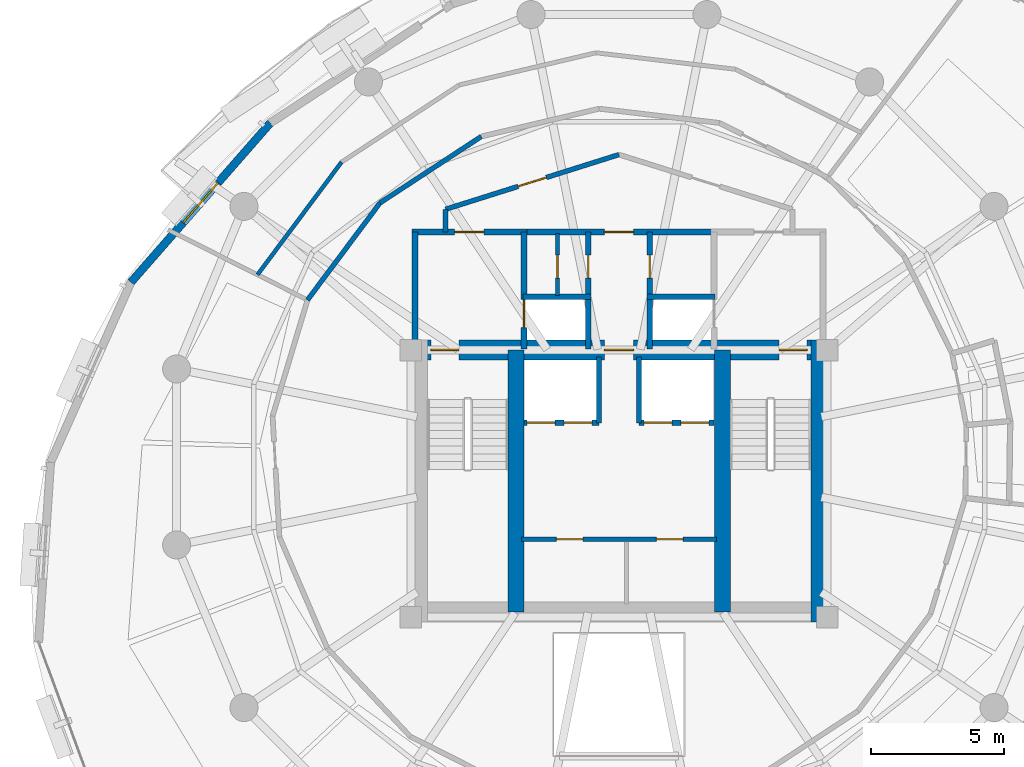
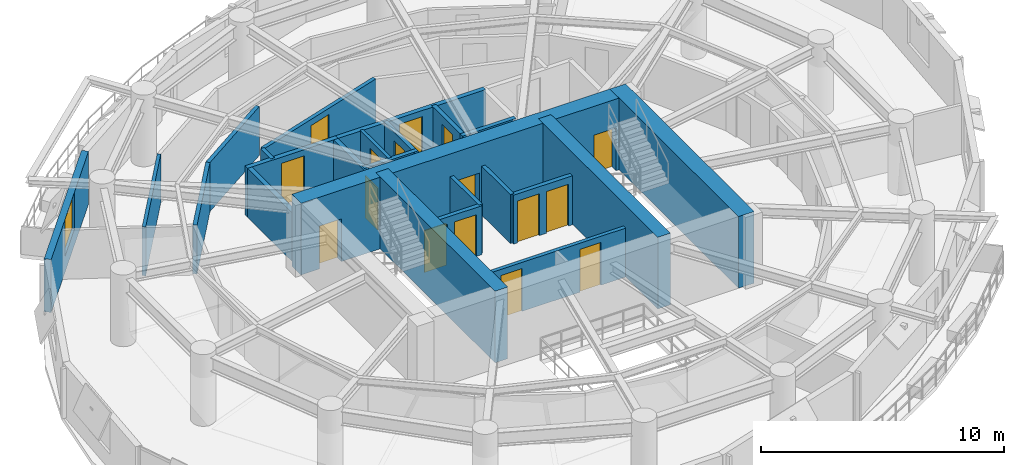
# One storey, part 8 of 12: 24 walls, 16 doors, 1 window, 17 openings.
"""IFC4 building model written with IfcOpenShell, lengths in metres."""

import ifcopenshell
import ifcopenshell.guid

model = None  # the IFC model being written
_history = None  # IfcOwnerHistory: only IFC2X3 demands one
_inside = {}  # id of a spatial element -> (the spatial element, [elements in it])
_under = {}  # id of a project, library or spatial element -> (it, [spatial elements below it])
_declared = {}  # id of a project -> (the project, [libraries it declares])
_typed = {}  # id of a type object -> (the type object, [elements of that type])
_made_of = {}  # id of a material, layer set ... -> (it, [elements and type objects made of it])


def new_model(schema):
    """Start an empty IFC model of exactly this schema.

    Asked for "IFC4X3", IfcOpenShell would pick the latest addendum, in which some entities
    have other attributes; the version numbers below select the first issue.
    IFC2X3 requires an IfcOwnerHistory on every rooted entity: one is made here for all.
    """
    global model, _history
    if schema == "IFC4X3":
        model = ifcopenshell.file(schema_version=(4, 3, 0, 0))
    else:
        model = ifcopenshell.file(schema=schema)
    _inside.clear()
    _under.clear()
    _declared.clear()
    _typed.clear()
    _made_of.clear()
    _history = None
    if model.schema == "IFC2X3":
        org = make("IfcOrganization", Name="unknown")
        user = make(
            "IfcPersonAndOrganization",
            ThePerson=make("IfcPerson", FamilyName="unknown"),
            TheOrganization=org,
        )
        app = make(
            "IfcApplication",
            ApplicationDeveloper=org,
            Version="unknown",
            ApplicationFullName="unknown",
            ApplicationIdentifier="unknown",
        )
        _history = make(
            "IfcOwnerHistory",
            OwningUser=user,
            OwningApplication=app,
            ChangeAction="ADDED",
            CreationDate=0,
        )
    return model


def make(cls, **values):
    """One entity of the class cls with the attributes given. An attribute that is None is left unset."""
    return model.create_entity(
        cls, **{name: value for name, value in values.items() if value is not None}
    )


def rooted(cls, **values):
    """An entity with a GlobalId (a new one), such as an element, a storey or a relation."""
    return make(cls, GlobalId=ifcopenshell.guid.new(), OwnerHistory=_history, **values)


def si_unit(unit_type, name, prefix=None):
    """IfcSIUnit, for example si_unit("LENGTHUNIT", "METRE", prefix="MILLI")."""
    return make("IfcSIUnit", UnitType=unit_type, Prefix=prefix, Name=name)


def assignment(units):
    """IfcUnitAssignment: the units of a project."""
    return None if units is None else make("IfcUnitAssignment", Units=units)


def point(xyz):
    """IfcCartesianPoint."""
    return None if xyz is None else make("IfcCartesianPoint", Coordinates=xyz)


def direction(xyz):
    """IfcDirection."""
    return None if xyz is None else make("IfcDirection", DirectionRatios=xyz)


def frame(location, z_axis=None, x_axis=None):
    """IfcAxis2Placement3D, a coordinate frame: its origin and axes. An axis left out is left unset."""
    return make(
        "IfcAxis2Placement3D",
        Location=point(location),
        Axis=direction(z_axis),
        RefDirection=direction(x_axis),
    )


def frame_2d(location, x_axis=None):
    """IfcAxis2Placement2D, a coordinate frame in the plane: its origin and x axis."""
    return make(
        "IfcAxis2Placement2D", Location=point(location), RefDirection=direction(x_axis)
    )


def origin():
    """The frame at (0, 0, 0) with its axes left unset."""
    return frame((0.0, 0.0, 0.0))


def place(relative_to, where):
    """IfcLocalPlacement: puts the frame where relative to a parent placement (None: the world)."""
    return make(
        "IfcLocalPlacement", PlacementRelTo=relative_to, RelativePlacement=where
    )


def context(
    kind, dimensions, precision=None, world=None, true_north=None, identifier=None
):
    """IfcGeometricRepresentationContext, for example the 3D "Model" context."""
    return make(
        "IfcGeometricRepresentationContext",
        ContextIdentifier=identifier,
        ContextType=kind,
        CoordinateSpaceDimension=dimensions,
        Precision=precision,
        WorldCoordinateSystem=world,
        TrueNorth=true_north,
    )


def subcontext(parent, identifier, kind, view, scale=None):
    """IfcGeometricRepresentationSubContext, for example "Body" below "Model"."""
    return make(
        "IfcGeometricRepresentationSubContext",
        ContextIdentifier=identifier,
        ContextType=kind,
        ParentContext=parent,
        TargetScale=scale,
        TargetView=view,
    )


def project(units=None, contexts=None):
    """IfcProject with its units and contexts."""
    return rooted(
        "IfcProject",
        Name="project",
        RepresentationContexts=contexts,
        UnitsInContext=assignment(units),
    )


def spatial(cls, under=None, at=None, **own):
    """A site, building, storey or space (cls), placed at a placement, below another one or the project."""
    s = rooted(cls, ObjectPlacement=at, **own)
    if under is not None:
        _under.setdefault(under.id(), (under, []))[1].append(s)
    return s


def profile(cls, at=None, kind="AREA", **sizes):
    """A parametric profile (cls). Its sizes go by their IFC names, for example OverallWidth=200.0."""
    return make(cls, ProfileType=kind, Position=at, **sizes)


def rectangle(**sizes):
    """IfcRectangleProfileDef."""
    return profile("IfcRectangleProfileDef", **sizes)


def extrude(swept, where, along, depth):
    """IfcExtrudedAreaSolid: the profile swept, set in the frame where, extruded along a direction by depth."""
    return make(
        "IfcExtrudedAreaSolid",
        SweptArea=swept,
        Position=where,
        ExtrudedDirection=direction(along),
        Depth=depth,
    )


def shape(context_of_items, identifier, shape_type, items):
    """IfcShapeRepresentation: the items that make up one representation, for example the "Body"."""
    return make(
        "IfcShapeRepresentation",
        ContextOfItems=context_of_items,
        RepresentationIdentifier=identifier,
        RepresentationType=shape_type,
        Items=items,
    )


def material(Name=None, Category=None):
    """IfcMaterial."""
    return make("IfcMaterial", Name=Name, Category=Category)


def layer(
    of_material, thickness, ventilated=None, Name=None, Category=None, Priority=None
):
    """IfcMaterialLayer: one layer of a wall or slab, of a material (None: an air gap)."""
    return make(
        "IfcMaterialLayer",
        Material=of_material,
        LayerThickness=thickness,
        IsVentilated=ventilated,
        Name=Name,
        Category=Category,
        Priority=Priority,
    )


def layer_set(layers, Name=None):
    """IfcMaterialLayerSet."""
    return make("IfcMaterialLayerSet", MaterialLayers=layers, LayerSetName=Name)


def made_of(thing, what):
    """Note that an element or type object is made of a material, layer set ...; save() writes the relation."""
    if what is not None:
        _made_of.setdefault(what.id(), (what, []))[1].append(thing)
    return thing


def type_object(cls, material=None, **own):
    """A type object (cls), such as IfcWallType, which elements share."""
    return made_of(rooted(cls, **own), material)


def element(
    cls,
    number,
    at=None,
    inside=None,
    cuts=None,
    type_object=None,
    material=None,
    context=None,
    identifier="Body",
    shape_type=None,
    held_by="IfcProductDefinitionShape",
    body=None,
    shapes=None,
    **own,
):
    """One element of the class cls, such as IfcWall. Its Tag is "e" and its number.

    at: its placement. inside: the storey or other place that contains it. cuts: it is an
    opening in that element (IfcRelVoidsElement). A single representation is given by context,
    identifier, shape_type and body (its items); several are given by shapes. held_by: the class
    of the entity that holds the representations. save() writes the other relations.
    """
    e = rooted(cls, Tag="e%d" % number, ObjectPlacement=at, **own)
    if body is not None:
        shapes = [shape(context, identifier, shape_type, body)]
    if shapes is not None:
        e.Representation = make(held_by, Representations=shapes)
    if inside is not None:
        _inside.setdefault(inside.id(), (inside, []))[1].append(e)
    if cuts is not None:
        rooted(
            "IfcRelVoidsElement", RelatingBuildingElement=cuts, RelatedOpeningElement=e
        )
    if type_object is not None:
        _typed.setdefault(type_object.id(), (type_object, []))[1].append(e)
    return made_of(e, material)


def fill(opening, filler):
    """IfcRelFillsElement: the door or window that sits in an opening."""
    return rooted(
        "IfcRelFillsElement",
        RelatingOpeningElement=opening,
        RelatedBuildingElement=filler,
    )


def aggregate(whole, parts):
    """IfcRelAggregates: a whole, such as a stair, and the parts it consists of."""
    return rooted("IfcRelAggregates", RelatingObject=whole, RelatedObjects=parts)


def save(model, path):
    """Write the relations noted so far, then the file.

    IfcRelAggregates (storeys below a building ...), IfcRelContainedInSpatialStructure (elements
    in a storey), IfcRelDefinesByType, IfcRelAssociatesMaterial and IfcRelDeclares: one each for
    every whole, place, type object, material and project.
    """
    for whole, parts in _under.values():
        aggregate(whole, parts)
    for where, things in _inside.values():
        rooted(
            "IfcRelContainedInSpatialStructure",
            RelatedElements=things,
            RelatingStructure=where,
        )
    for kind, things in _typed.values():
        rooted("IfcRelDefinesByType", RelatedObjects=things, RelatingType=kind)
    for what, things in _made_of.values():
        rooted("IfcRelAssociatesMaterial", RelatedObjects=things, RelatingMaterial=what)
    for by, libraries in _declared.values():
        rooted("IfcRelDeclares", RelatingContext=by, RelatedDefinitions=libraries)
    model.write(path)


model = new_model("IFC4")

# Units and contexts
model_context = context("Model", 3, precision=1e-05, world=origin(), true_north=direction((0.0, 1.0)))
body_context = subcontext(model_context, "Body", "Model", "MODEL_VIEW")
ifc_project = project(units=[si_unit("LENGTHUNIT", "METRE"), si_unit("AREAUNIT", "SQUARE_METRE"), si_unit("VOLUMEUNIT", "CUBIC_METRE"), si_unit("PLANEANGLEUNIT", "RADIAN"), si_unit("MASSUNIT", "GRAM", prefix="KILO"), si_unit("THERMODYNAMICTEMPERATUREUNIT", "KELVIN"), si_unit("POWERUNIT", "WATT")], contexts=[model_context])

# Site, building, storey
site_placement = place(None, origin())
site = spatial("IfcSite", under=ifc_project, at=site_placement, CompositionType="ELEMENT")
building_placement = place(site_placement, origin())
building = spatial("IfcBuilding", under=site, at=building_placement, Name="Ocrelia Relay Tower", CompositionType="ELEMENT")
storey_placement = place(building_placement, frame((0.0, 0.0, 173.60009765625)))
storey = spatial("IfcBuildingStorey", under=building, at=storey_placement, Name="L41", CompositionType="ELEMENT", Elevation=173.60009765625)

# Wall, openings, doors
ifc_material_1 = material(Name="Concrete C60/75", Category="concrete")
ifc_layer_1 = layer(ifc_material_1, 0.75, Name="Concrete C60/75")
ifc_layer_set_1 = layer_set([ifc_layer_1], Name="Concrete C60/75")
wall_type_1 = type_object("IfcWallType", Name="CW-CORE-750", PredefinedType="SHEAR", material=ifc_layer_set_1)
wall_1_placement = place(storey_placement, frame((26.072021484375, 30.012939453125, 0.0), z_axis=(0.0, 0.0, 1.0), x_axis=(1.0, 0.0, 0.0)))
wall_1 = element("IfcWall", 1, at=wall_1_placement, inside=storey, type_object=wall_type_1, Name="L41 Core Shear Wall N", PredefinedType="SHEAR", context=body_context, shape_type="SweptSolid", body=[
    extrude(rectangle(XDim=15.865966796875, YDim=0.75, at=frame_2d((7.93310546875, 0.0))), origin(), (0.0, 0.0, 1.0), 3.599853515625),
])
opening_1_placement = place(wall_1_placement, frame((0.8779296875, 0.0, 0.0)))
opening_1 = element("IfcOpeningElement", 2, at=opening_1_placement, cuts=wall_1, Name="Opening D-FD90", PredefinedType="OPENING", context=body_context, shape_type="SweptSolid", body=[
    extrude(rectangle(XDim=1.050048828125, YDim=2.14990234375, at=frame_2d((0.52490234375, 1.074951171875))), frame((0.0, 0.385009765625, 0.0), z_axis=(0.0, -1.0, 0.0), x_axis=(1.0, 0.0, 0.0)), (0.0, 0.0, 1.0), 0.77001953125),
])
opening_2_placement = place(wall_1_placement, frame((13.927978515625, 0.0, 0.0)))
opening_2 = element("IfcOpeningElement", 3, at=opening_2_placement, cuts=wall_1, Name="Opening D-FD90", PredefinedType="OPENING", context=body_context, shape_type="SweptSolid", body=[
    extrude(rectangle(XDim=1.050048828125, YDim=2.14990234375, at=frame_2d((0.52490234375, 1.074951171875))), frame((0.0, 0.385009765625, 0.0), z_axis=(0.0, -1.0, 0.0), x_axis=(1.0, 0.0, 0.0)), (0.0, 0.0, 1.0), 0.77001953125),
])
opening_3_placement = place(wall_1_placement, frame((7.3779296875, 0.0, 0.0)))
opening_3 = element("IfcOpeningElement", 4, at=opening_3_placement, cuts=wall_1, Name="Opening D-FD60", PredefinedType="OPENING", context=body_context, shape_type="SweptSolid", body=[
    extrude(rectangle(XDim=1.10009765625, YDim=2.14990234375, at=frame_2d((0.550048828125, 1.074951171875))), frame((0.0, 0.385009765625, 0.0), z_axis=(0.0, -1.0, 0.0), x_axis=(1.0, 0.0, 0.0)), (0.0, 0.0, 1.0), 0.77001953125),
])
ifc_material_2 = material(Name="Timber-core 60-min acoustic fire door", Category="wood")
door_type_1 = type_object("IfcDoorType", Name="DR-LOBBY-FD60-1100", OperationType="NOTDEFINED", PredefinedType="DOOR", material=ifc_material_2)
door_1_placement = place(opening_3_placement, origin())
door_1 = element("IfcDoor", 5, at=door_1_placement, inside=storey, type_object=door_type_1, Name="L41 Core Lift Lobby North Fire Door", OperationType="SINGLE_SWING_LEFT", OverallHeight=2.14990234375, OverallWidth=1.10009765625, PredefinedType="DOOR", context=body_context, shape_type="SweptSolid", body=[
    extrude(rectangle(XDim=1.10009765625, YDim=2.14990234375, at=frame_2d((0.550048828125, 1.074951171875))), frame((0.0, 0.02490234375, 0.0), z_axis=(0.0, -1.0, 0.0), x_axis=(1.0, 0.0, 0.0)), (0.0, 0.0, 1.0), 0.050048828125),
])
fill(opening_3, door_1)
ifc_material_3 = material(Name="Steel S355 90-min fire door", Category="steel")
door_type_2 = type_object("IfcDoorType", Name="DR-STAIR-FD90-1050", OperationType="NOTDEFINED", PredefinedType="DOOR", material=ifc_material_3)
door_2_placement = place(opening_1_placement, origin())
door_2 = element("IfcDoor", 6, at=door_2_placement, inside=storey, type_object=door_type_2, Name="L41 Stair ST1 Fire Door", OperationType="SINGLE_SWING_LEFT", OverallHeight=2.14990234375, OverallWidth=1.050048828125, PredefinedType="DOOR", context=body_context, shape_type="SweptSolid", body=[
    extrude(rectangle(XDim=1.050048828125, YDim=2.14990234375, at=frame_2d((0.52490234375, 1.074951171875))), frame((0.0, 0.02490234375, 0.0), z_axis=(0.0, -1.0, 0.0), x_axis=(1.0, 0.0, 0.0)), (0.0, 0.0, 1.0), 0.050048828125),
])
fill(opening_1, door_2)
door_3_placement = place(opening_2_placement, origin())
door_3 = element("IfcDoor", 7, at=door_3_placement, inside=storey, type_object=door_type_2, Name="L41 Stair ST2 Fire Door", OperationType="SINGLE_SWING_RIGHT", OverallHeight=2.14990234375, OverallWidth=1.050048828125, PredefinedType="DOOR", context=body_context, shape_type="SweptSolid", body=[
    extrude(rectangle(XDim=1.050048828125, YDim=2.14990234375, at=frame_2d((0.52490234375, 1.074951171875))), frame((0.0, 0.02490234375, 0.0), z_axis=(0.0, -1.0, 0.0), x_axis=(1.0, 0.0, 0.0)), (0.0, 0.0, 1.0), 0.050048828125),
])
fill(opening_2, door_3)

# Walls
wall_2_placement = place(storey_placement, frame((41.56298828125, 19.81201171875, 0.0), z_axis=(0.0, 0.0, 1.0), x_axis=(0.0, 1.0, 0.0)))
element("IfcWall", 8, at=wall_2_placement, inside=storey, type_object=wall_type_1, Name="L41 Core Shear Wall E", PredefinedType="SHEAR", context=body_context, shape_type="SweptSolid", body=[
    extrude(rectangle(XDim=10.575927734375, YDim=0.75, at=frame_2d((5.2880859375, 0.0))), origin(), (0.0, 0.0, 1.0), 3.599853515625),
])
for number, where, z_axis, x_axis, name in (
    (9, (30.137939453125, 20.18701171875, 0.0), (0.0, 0.0, 1.0), (0.0, 1.0, 0.0), "L41 Core Shear Wall SPW"),
    (10, (37.8720703125, 20.18701171875, 0.0), (0.0, 0.0, 1.0), (0.0, 1.0, 0.0), "L41 Core Shear Wall SPE"),
):
    element("IfcWall", number, at=place(storey_placement, frame(where, z_axis=z_axis, x_axis=x_axis)), inside=storey, type_object=wall_type_1, Name=name, PredefinedType="SHEAR", context=body_context, shape_type="SweptSolid", body=[
        extrude(rectangle(XDim=9.825927734375, YDim=0.60009765625, at=frame_2d((4.9130859375, 0.0))), origin(), (0.0, 0.0, 1.0), 3.599853515625),
    ])

# Wall, openings, doors
ifc_material_4 = material(Name="Gypsum Fireboard Partition EI60", Category="gypsum")
ifc_layer_2 = layer(ifc_material_4, 0.179931640625, Name="Gypsum Fireboard Partition EI60")
ifc_layer_set_2 = layer_set([ifc_layer_2], Name="Gypsum Fireboard Partition EI60")
wall_type_2 = type_object("IfcWallType", Name="W-CORR-EI60-180", PredefinedType="PARTITIONING", material=ifc_layer_set_2)
wall_3_placement = place(storey_placement, frame((30.35009765625, 22.919921875, 0.0), z_axis=(0.0, 0.0, 1.0), x_axis=(1.0, 0.0, 0.0)))
wall_3 = element("IfcWall", 11, at=wall_3_placement, inside=storey, type_object=wall_type_2, Name="L41 Reclaimed Core Room Partition", PredefinedType="PARTITIONING", context=body_context, shape_type="SweptSolid", body=[
    extrude(rectangle(XDim=7.2998046875, YDim=0.179931640625, at=frame_2d((3.64990234375, 0.0))), origin(), (0.0, 0.0, 1.0), 2.4599609375),
])
opening_4_placement = place(wall_3_placement, frame((1.300048828125, 0.0, 0.0)))
opening_4 = element("IfcOpeningElement", 12, at=opening_4_placement, cuts=wall_3, Name="Opening D-RM100", PredefinedType="OPENING", context=body_context, shape_type="SweptSolid", body=[
    extrude(rectangle(XDim=1.0, YDim=2.14990234375, at=frame_2d((0.5, 1.074951171875))), frame((0.0, 0.10009765625, 0.0), z_axis=(0.0, -1.0, 0.0), x_axis=(1.0, 0.0, 0.0)), (0.0, 0.0, 1.0), 0.199951171875),
])
opening_5_placement = place(wall_3_placement, frame((5.050048828125, 0.0, 0.0)))
opening_5 = element("IfcOpeningElement", 13, at=opening_5_placement, cuts=wall_3, Name="Opening D-RM100", PredefinedType="OPENING", context=body_context, shape_type="SweptSolid", body=[
    extrude(rectangle(XDim=1.0, YDim=2.14990234375, at=frame_2d((0.5, 1.074951171875))), frame((0.0, 0.10009765625, 0.0), z_axis=(0.0, -1.0, 0.0), x_axis=(1.0, 0.0, 0.0)), (0.0, 0.0, 1.0), 0.199951171875),
])
ifc_material_5 = material(Name="Acoustic oak veneer fire door", Category="wood")
door_type_3 = type_object("IfcDoorType", Name="DR-ROOM-FD60-1000", OperationType="NOTDEFINED", PredefinedType="DOOR", material=ifc_material_5)
door_4_placement = place(opening_4_placement, origin())
door_4 = element("IfcDoor", 14, at=door_4_placement, inside=storey, type_object=door_type_3, Name="L41 Reclaimed Core Room 1 Door", OperationType="SINGLE_SWING_RIGHT", OverallHeight=2.14990234375, OverallWidth=1.0, PredefinedType="DOOR", context=body_context, shape_type="SweptSolid", body=[
    extrude(rectangle(XDim=1.0, YDim=2.14990234375, at=frame_2d((0.5, 1.074951171875))), frame((0.0, 0.02490234375, 0.0), z_axis=(0.0, -1.0, 0.0), x_axis=(1.0, 0.0, 0.0)), (0.0, 0.0, 1.0), 0.050048828125),
])
fill(opening_4, door_4)
door_5_placement = place(opening_5_placement, origin())
door_5 = element("IfcDoor", 15, at=door_5_placement, inside=storey, type_object=door_type_3, Name="L41 Reclaimed Core Room 2 Door", OperationType="SINGLE_SWING_LEFT", OverallHeight=2.14990234375, OverallWidth=1.0, PredefinedType="DOOR", context=body_context, shape_type="SweptSolid", body=[
    extrude(rectangle(XDim=1.0, YDim=2.14990234375, at=frame_2d((0.5, 1.074951171875))), frame((0.0, 0.02490234375, 0.0), z_axis=(0.0, -1.0, 0.0), x_axis=(1.0, 0.0, 0.0)), (0.0, 0.0, 1.0), 0.050048828125),
])
fill(opening_5, door_5)

# Wall
wall_4_placement = place(storey_placement, frame((27.5, 34.429931640625, 0.0), z_axis=(0.0, 0.0, 1.0), x_axis=(0.0, 1.0, 0.0)))
element("IfcWall", 16, at=wall_4_placement, inside=storey, type_object=wall_type_2, Name="L41 Smoke Lobby West Return", PredefinedType="PARTITIONING", context=body_context, shape_type="SweptSolid", body=[
    extrude(rectangle(XDim=0.85009765625, YDim=0.179931640625, at=frame_2d((0.425048828125, 0.0))), origin(), (0.0, 0.0, 1.0), 2.4599609375),
])

# Wall, opening, door
wall_5_placement = place(storey_placement, frame((27.5, 35.280029296875, 0.0), z_axis=(0.0, 0.0, 1.0), x_axis=(0.953691418528, 0.300786765376, 0.0)))
wall_5 = element("IfcWall", 17, at=wall_5_placement, inside=storey, type_object=wall_type_2, Name="L41 North Smoke Lobby W Screen Wall", PredefinedType="PARTITIONING", context=body_context, shape_type="SweptSolid", body=[
    extrude(rectangle(XDim=6.815673828125, YDim=0.179931640625, at=frame_2d((3.40771484375, 0.0))), origin(), (0.0, 0.0, 1.0), 2.4599609375),
])
opening_6_placement = place(wall_5_placement, frame((2.85791015625, 0.0, 0.0)))
opening_6 = element("IfcOpeningElement", 18, at=opening_6_placement, cuts=wall_5, Name="Opening D-FD60", PredefinedType="OPENING", context=body_context, shape_type="SweptSolid", body=[
    extrude(rectangle(XDim=1.10009765625, YDim=2.14990234375, at=frame_2d((0.550048828125, 1.074951171875))), frame((0.0, 0.10009765625, 0.0), z_axis=(0.0, -1.0, 0.0), x_axis=(1.0, 0.0, 0.0)), (0.0, 0.0, 1.0), 0.199951171875),
])
door_6_placement = place(opening_6_placement, origin())
door_6 = element("IfcDoor", 19, at=door_6_placement, inside=storey, type_object=door_type_1, Name="L41 North Smoke Lobby W Fire Door", OperationType="SINGLE_SWING_RIGHT", OverallHeight=2.14990234375, OverallWidth=1.10009765625, PredefinedType="DOOR", context=body_context, shape_type="SweptSolid", body=[
    extrude(rectangle(XDim=1.10009765625, YDim=2.14990234375, at=frame_2d((0.550048828125, 1.074951171875))), frame((0.0, 0.02490234375, 0.0), z_axis=(0.0, -1.0, 0.0), x_axis=(1.0, 0.0, 0.0)), (0.0, 0.0, 1.0), 0.050048828125),
])
fill(opening_6, door_6)

# Walls
wall_6_placement = place(storey_placement, frame((28.8408203125, 38.008544921875, 0.0), z_axis=(0.0, 0.0, 1.0), x_axis=(-0.836295307945, -0.548279269998, 0.0)))
element("IfcWall", 20, at=wall_6_placement, inside=storey, type_object=wall_type_2, Name="L41 Cybersecurity Conference Room Corridor Partition 4", PredefinedType="PARTITIONING", context=body_context, shape_type="SweptSolid", body=[
    extrude(rectangle(XDim=4.539306640625, YDim=0.179931640625, at=frame_2d((2.26953125, 0.0))), origin(), (0.0, 0.0, 1.0), 2.4599609375),
])
wall_7_placement = place(storey_placement, frame((25.044677734375, 35.519775390625, 0.0), z_axis=(0.0, 0.0, 1.0), x_axis=(-0.598320542487, -0.80125684299, 0.0)))
element("IfcWall", 21, at=wall_7_placement, inside=storey, type_object=wall_type_2, Name="L41 Cybersecurity Conference Room Corridor Partition 5", PredefinedType="PARTITIONING", context=body_context, shape_type="SweptSolid", body=[
    extrude(rectangle(XDim=4.5390625, YDim=0.179931640625, at=frame_2d((2.26953125, 0.0))), origin(), (0.0, 0.0, 1.0), 2.4599609375),
])

# Wall, opening, window
ifc_material_6 = material(Name="Precast concrete C40/50 with oxide terracotta", Category="masonry")
ifc_layer_3 = layer(ifc_material_6, 0.300048828125, Name="Precast concrete C40/50 with oxide terracotta")
ifc_layer_set_3 = layer_set([ifc_layer_3], Name="Precast concrete C40/50 with oxide terracotta")
wall_type_3 = type_object("IfcWallType", Name="W-EXT-TERR-300", PredefinedType="SOLIDWALL", material=ifc_layer_set_3)
wall_8_placement = place(storey_placement, frame((20.9365234375, 38.51416015625, 0.0), z_axis=(0.0, 0.0, 1.0), x_axis=(-0.658594000486, -0.752498466792, 0.0)))
wall_8 = element("IfcWall", 22, at=wall_8_placement, inside=storey, type_object=wall_type_3, Name="L41 Oxide Terracotta Facade Wall 06", PredefinedType="SOLIDWALL", context=body_context, shape_type="SweptSolid", body=[
    extrude(rectangle(XDim=7.927001953125, YDim=0.300048828125, at=frame_2d((3.96337890625, 0.0))), origin(), (0.0, 0.0, 1.0), 2.659912109375),
])
opening_7_placement = place(wall_8_placement, frame((2.964111328125, 0.0, 0.800048828125)))
opening_7 = element("IfcOpeningElement", 23, at=opening_7_placement, cuts=wall_8, Name="Opening W-03", PredefinedType="OPENING", context=body_context, shape_type="SweptSolid", body=[
    extrude(rectangle(XDim=2.0, YDim=1.85009765625, at=frame_2d((1.0, 0.925048828125))), frame((0.0, 0.16015625, 0.0), z_axis=(0.0, -1.0, 0.0), x_axis=(1.0, 0.0, 0.0)), (0.0, 0.0, 1.0), 0.320068359375),
])
ifc_material_7 = material(Name="Clear double-glazed low-E glass", Category="glass")
window_type = type_object("IfcWindowType", Name="WIN-Z3-2000x2200", PartitioningType="DOUBLE_PANEL_VERTICAL", PredefinedType="WINDOW", material=ifc_material_7)
window_placement = place(opening_7_placement, origin())
window = element("IfcWindow", 24, at=window_placement, inside=storey, type_object=window_type, Name="L41 Facade Module Window 06", OverallHeight=1.85009765625, OverallWidth=2.0, PartitioningType="SINGLE_PANEL", PredefinedType="WINDOW", context=body_context, shape_type="SweptSolid", body=[
    extrude(rectangle(XDim=2.0, YDim=1.85009765625, at=frame_2d((1.0, 0.925048828125))), frame((0.0, 0.030029296875, 0.0), z_axis=(0.0, -1.0, 0.0), x_axis=(1.0, 0.0, 0.0)), (0.0, 0.0, 1.0), 0.06005859375),
])
fill(opening_7, window)

# Wall
ifc_material_8 = material(Name="Concrete C50/60", Category="concrete")
ifc_layer_4 = layer(ifc_material_8, 0.219970703125, Name="Concrete C50/60")
ifc_layer_set_4 = layer_set([ifc_layer_4], Name="Concrete C50/60")
wall_type_4 = type_object("IfcWallType", Name="W-FFL-EI120-220", PredefinedType="SOLIDWALL", material=ifc_layer_set_4)
wall_9_placement = place(storey_placement, frame((26.35009765625, 30.050048828125, 0.0), z_axis=(0.0, 0.0, 1.0), x_axis=(0.0, 1.0, 0.0)))
element("IfcWall", 25, at=wall_9_placement, inside=storey, type_object=wall_type_4, Name="L41 W Fire Service Lift Lobby West Wall", PredefinedType="SOLIDWALL", context=body_context, shape_type="SweptSolid", body=[
    extrude(rectangle(XDim=4.3798828125, YDim=0.219970703125, at=frame_2d((2.18994140625, 0.0))), origin(), (0.0, 0.0, 1.0), 2.4599609375),
])

# Wall, opening, door
wall_10_placement = place(storey_placement, frame((30.43994140625, 30.050048828125, 0.0), z_axis=(0.0, 0.0, 1.0), x_axis=(0.0, 1.0, 0.0)))
wall_10 = element("IfcWall", 26, at=wall_10_placement, inside=storey, type_object=wall_type_4, Name="L41 W Fire Service Lift Lobby East Wall", PredefinedType="SOLIDWALL", context=body_context, shape_type="SweptSolid", body=[
    extrude(rectangle(XDim=4.3798828125, YDim=0.219970703125, at=frame_2d((2.18994140625, 0.0))), origin(), (0.0, 0.0, 1.0), 2.4599609375),
])
opening_8_placement = place(wall_10_placement, frame((0.800048828125, 0.0, 0.0)))
opening_8 = element("IfcOpeningElement", 27, at=opening_8_placement, cuts=wall_10, Name="Opening LD-FFL1", PredefinedType="OPENING", context=body_context, shape_type="SweptSolid", body=[
    extrude(rectangle(XDim=1.050048828125, YDim=2.10009765625, at=frame_2d((0.52490234375, 1.050048828125))), frame((0.0, 0.1201171875, 0.0), z_axis=(0.0, -1.0, 0.0), x_axis=(1.0, 0.0, 0.0)), (0.0, 0.0, 1.0), 0.239990234375),
])
ifc_material_9 = material(Name="Brushed stainless steel S355 lift landing door", Category="steel")
door_type_4 = type_object("IfcDoorType", Name="DR-LIFT-LAND-1050", OperationType="DOUBLE_DOOR_SLIDING", PredefinedType="USERDEFINED", material=ifc_material_9)
door_7_placement = place(opening_8_placement, origin())
door_7 = element("IfcDoor", 28, at=door_7_placement, inside=storey, type_object=door_type_4, Name="L41 Firefighting Lift FFL1 Sliding Landing Door", ObjectType="LANDING DOOR", OperationType="DOUBLE_DOOR_SLIDING", OverallHeight=2.10009765625, OverallWidth=1.050048828125, PredefinedType="USERDEFINED", context=body_context, shape_type="SweptSolid", body=[
    extrude(rectangle(XDim=1.050048828125, YDim=2.10009765625, at=frame_2d((0.52490234375, 1.050048828125))), frame((0.0, 0.02490234375, 0.0), z_axis=(0.0, -1.0, 0.0), x_axis=(1.0, 0.0, 0.0)), (0.0, 0.0, 1.0), 0.050048828125),
])
fill(opening_8, door_7)

wall_11_placement = place(storey_placement, frame((26.239990234375, 34.429931640625, 0.0), z_axis=(0.0, 0.0, 1.0), x_axis=(1.0, 0.0, 0.0)))
wall_11 = element("IfcWall", 29, at=wall_11_placement, inside=storey, type_object=wall_type_4, Name="L41 W Fire Service Lift Lobby North Wall", PredefinedType="SOLIDWALL", context=body_context, shape_type="SweptSolid", body=[
    extrude(rectangle(XDim=4.31005859375, YDim=0.219970703125, at=frame_2d((2.155029296875, 0.0))), origin(), (0.0, 0.0, 1.0), 2.4599609375),
])
opening_9_placement = place(wall_11_placement, frame((1.60009765625, 0.0, 0.0)))
opening_9 = element("IfcOpeningElement", 30, at=opening_9_placement, cuts=wall_11, Name="Opening D-FD60", PredefinedType="OPENING", context=body_context, shape_type="SweptSolid", body=[
    extrude(rectangle(XDim=1.10009765625, YDim=2.14990234375, at=frame_2d((0.550048828125, 1.074951171875))), frame((0.0, 0.1201171875, 0.0), z_axis=(0.0, -1.0, 0.0), x_axis=(1.0, 0.0, 0.0)), (0.0, 0.0, 1.0), 0.239990234375),
])
door_8_placement = place(opening_9_placement, origin())
door_8 = element("IfcDoor", 31, at=door_8_placement, inside=storey, type_object=door_type_1, Name="L41 W Fire Service Lift Lobby Exit Door", OperationType="SINGLE_SWING_RIGHT", OverallHeight=2.14990234375, OverallWidth=1.10009765625, PredefinedType="DOOR", context=body_context, shape_type="SweptSolid", body=[
    extrude(rectangle(XDim=1.10009765625, YDim=2.14990234375, at=frame_2d((0.550048828125, 1.074951171875))), frame((0.0, 0.02490234375, 0.0), z_axis=(0.0, -1.0, 0.0), x_axis=(1.0, 0.0, 0.0)), (0.0, 0.0, 1.0), 0.050048828125),
])
fill(opening_9, door_8)

wall_12_placement = place(storey_placement, frame((30.43994140625, 34.429931640625, 0.0), z_axis=(0.0, 0.0, 1.0), x_axis=(1.0, 0.0, 0.0)))
wall_12 = element("IfcWall", 32, at=wall_12_placement, inside=storey, type_object=wall_type_4, Name="L41 North Core Vestibule Wall", PredefinedType="SOLIDWALL", context=body_context, shape_type="SweptSolid", body=[
    extrude(rectangle(XDim=7.1201171875, YDim=0.219970703125, at=frame_2d((3.56005859375, 0.0))), origin(), (0.0, 0.0, 1.0), 2.4599609375),
])
opening_10_placement = place(wall_12_placement, frame((3.010009765625, 0.0, 0.0)))
opening_10 = element("IfcOpeningElement", 33, at=opening_10_placement, cuts=wall_12, Name="Opening D-FD60", PredefinedType="OPENING", context=body_context, shape_type="SweptSolid", body=[
    extrude(rectangle(XDim=1.10009765625, YDim=2.14990234375, at=frame_2d((0.550048828125, 1.074951171875))), frame((0.0, 0.1201171875, 0.0), z_axis=(0.0, -1.0, 0.0), x_axis=(1.0, 0.0, 0.0)), (0.0, 0.0, 1.0), 0.239990234375),
])
door_9_placement = place(opening_10_placement, origin())
door_9 = element("IfcDoor", 34, at=door_9_placement, inside=storey, type_object=door_type_1, Name="L41 North Core Vestibule Corridor Door", OperationType="SINGLE_SWING_RIGHT", OverallHeight=2.14990234375, OverallWidth=1.10009765625, PredefinedType="DOOR", context=body_context, shape_type="SweptSolid", body=[
    extrude(rectangle(XDim=1.10009765625, YDim=2.14990234375, at=frame_2d((0.550048828125, 1.074951171875))), frame((0.0, 0.02490234375, 0.0), z_axis=(0.0, -1.0, 0.0), x_axis=(1.0, 0.0, 0.0)), (0.0, 0.0, 1.0), 0.050048828125),
])
fill(opening_10, door_9)

ifc_material_10 = material(Name="Acoustic Fireboard Partition EI60", Category="gypsum")
ifc_layer_5 = layer(ifc_material_10, 0.14990234375, Name="Acoustic Fireboard Partition EI60")
ifc_layer_set_5 = layer_set([ifc_layer_5], Name="Acoustic Fireboard Partition EI60")
wall_type_5 = type_object("IfcWallType", Name="W-PART-150", PredefinedType="PARTITIONING", material=ifc_layer_set_5)
wall_13_placement = place(storey_placement, frame((31.68994140625, 32.050048828125, 0.0), z_axis=(0.0, 0.0, 1.0), x_axis=(0.0, 1.0, 0.0)))
wall_13 = element("IfcWall", 35, at=wall_13_placement, inside=storey, type_object=wall_type_5, Name="L41 West Core Support Partition", PredefinedType="PARTITIONING", context=body_context, shape_type="SweptSolid", body=[
    extrude(rectangle(XDim=2.329833984375, YDim=0.14990234375, at=frame_2d((1.1650390625, 0.0))), origin(), (0.0, 0.0, 1.0), 2.4599609375),
])
opening_11_placement = place(wall_13_placement, frame((0.64990234375, 0.0, 0.0)))
opening_11 = element("IfcOpeningElement", 36, at=opening_11_placement, cuts=wall_13, Name="Opening D-RS86", PredefinedType="OPENING", context=body_context, shape_type="SweptSolid", body=[
    extrude(rectangle(XDim=0.860107421875, YDim=2.050048828125, at=frame_2d((0.43017578125, 1.02490234375))), frame((0.0, 0.0849609375, 0.0), z_axis=(0.0, -1.0, 0.0), x_axis=(1.0, 0.0, 0.0)), (0.0, 0.0, 1.0), 0.169921875),
])
ifc_material_11 = material(Name="Steel S355 riser access fire door", Category="steel")
door_type_5 = type_object("IfcDoorType", Name="DR-RISER-TRAP-860", OperationType="NOTDEFINED", PredefinedType="TRAPDOOR", material=ifc_material_11)
door_10_placement = place(opening_11_placement, origin())
door_10 = element("IfcDoor", 37, at=door_10_placement, inside=storey, type_object=door_type_5, Name="L41 West Core Store Connecting Door", OperationType="SINGLE_SWING_LEFT", OverallHeight=2.050048828125, OverallWidth=0.860107421875, PredefinedType="TRAPDOOR", context=body_context, shape_type="SweptSolid", body=[
    extrude(rectangle(XDim=0.860107421875, YDim=2.050048828125, at=frame_2d((0.43017578125, 1.02490234375))), frame((0.0, 0.02490234375, 0.0), z_axis=(0.0, -1.0, 0.0), x_axis=(1.0, 0.0, 0.0)), (0.0, 0.0, 1.0), 0.050048828125),
])
fill(opening_11, door_10)

# Walls
wall_14_placement = place(storey_placement, frame((23.605712890625, 37.04931640625, 0.0), z_axis=(0.0, 0.0, 1.0), x_axis=(-0.598300736857, -0.801271632018, 0.0)))
element("IfcWall", 38, at=wall_14_placement, inside=storey, type_object=wall_type_5, Name="L41 Perimeter Cybersecurity Conference Room Mid-Ring Partition 5", PredefinedType="PARTITIONING", context=body_context, shape_type="SweptSolid", body=[
    extrude(rectangle(XDim=5.268310546875, YDim=0.14990234375, at=frame_2d((2.63427734375, 0.0))), origin(), (0.0, 0.0, 1.0), 2.4599609375),
])
ifc_layer_6 = layer(ifc_material_8, 0.199951171875, Name="Concrete C50/60")
ifc_layer_set_6 = layer_set([ifc_layer_6], Name="Concrete C50/60")
wall_type_6 = type_object("IfcWallType", Name="W-SHAFT-EI120-200", PredefinedType="SOLIDWALL", material=ifc_layer_set_6)
wall_15_placement = place(storey_placement, frame((30.39990234375, 32.0, 0.0), z_axis=(0.0, 0.0, 1.0), x_axis=(1.0, 0.0, 0.0)))
element("IfcWall", 39, at=wall_15_placement, inside=storey, type_object=wall_type_6, Name="L41 FFL1 Hoistway North Wall", PredefinedType="SOLIDWALL", context=body_context, shape_type="SweptSolid", body=[
    extrude(rectangle(XDim=2.550048828125, YDim=0.199951171875, at=frame_2d((1.27490234375, 0.0))), origin(), (0.0, 0.0, 1.0), 2.4599609375),
])

# Wall, opening, door
wall_16_placement = place(storey_placement, frame((32.85009765625, 30.050048828125, 0.0), z_axis=(0.0, 0.0, 1.0), x_axis=(0.0, 1.0, 0.0)))
wall_16 = element("IfcWall", 40, at=wall_16_placement, inside=storey, type_object=wall_type_6, Name="L41 FFL1 and Service Vestibule Wall", PredefinedType="SOLIDWALL", context=body_context, shape_type="SweptSolid", body=[
    extrude(rectangle(XDim=4.3798828125, YDim=0.199951171875, at=frame_2d((2.18994140625, 0.0))), origin(), (0.0, 0.0, 1.0), 2.4599609375),
])
opening_12_placement = place(wall_16_placement, frame((2.64990234375, 0.0, 0.0)))
opening_12 = element("IfcOpeningElement", 41, at=opening_12_placement, cuts=wall_16, Name="Opening D-RS86", PredefinedType="OPENING", context=body_context, shape_type="SweptSolid", body=[
    extrude(rectangle(XDim=0.860107421875, YDim=2.050048828125, at=frame_2d((0.43017578125, 1.02490234375))), frame((0.0, 0.10986328125, 0.0), z_axis=(0.0, -1.0, 0.0), x_axis=(1.0, 0.0, 0.0)), (0.0, 0.0, 1.0), 0.219970703125),
])
door_11_placement = place(opening_12_placement, origin())
door_11 = element("IfcDoor", 42, at=door_11_placement, inside=storey, type_object=door_type_5, Name="L41 Core Support Room W Door", OperationType="SINGLE_SWING_LEFT", OverallHeight=2.050048828125, OverallWidth=0.860107421875, PredefinedType="TRAPDOOR", context=body_context, shape_type="SweptSolid", body=[
    extrude(rectangle(XDim=0.860107421875, YDim=2.050048828125, at=frame_2d((0.43017578125, 1.02490234375))), frame((0.0, 0.02490234375, 0.0), z_axis=(0.0, -1.0, 0.0), x_axis=(1.0, 0.0, 0.0)), (0.0, 0.0, 1.0), 0.050048828125),
])
fill(opening_12, door_11)

# Wall
wall_17_placement = place(storey_placement, frame((35.050048828125, 32.0, 0.0), z_axis=(0.0, 0.0, 1.0), x_axis=(1.0, 0.0, 0.0)))
element("IfcWall", 43, at=wall_17_placement, inside=storey, type_object=wall_type_6, Name="L41 FFL2 Hoistway North Wall", PredefinedType="SOLIDWALL", context=body_context, shape_type="SweptSolid", body=[
    extrude(rectangle(XDim=2.550048828125, YDim=0.199951171875, at=frame_2d((1.27490234375, 0.0))), origin(), (0.0, 0.0, 1.0), 2.4599609375),
])

# Wall, opening, door
wall_18_placement = place(storey_placement, frame((35.14990234375, 30.050048828125, 0.0), z_axis=(0.0, 0.0, 1.0), x_axis=(0.0, 1.0, 0.0)))
wall_18 = element("IfcWall", 44, at=wall_18_placement, inside=storey, type_object=wall_type_6, Name="L41 FFL2 and Service Vestibule Wall", PredefinedType="SOLIDWALL", context=body_context, shape_type="SweptSolid", body=[
    extrude(rectangle(XDim=4.3798828125, YDim=0.199951171875, at=frame_2d((2.18994140625, 0.0))), origin(), (0.0, 0.0, 1.0), 2.4599609375),
])
opening_13_placement = place(wall_18_placement, frame((2.64990234375, 0.0, 0.0)))
opening_13 = element("IfcOpeningElement", 45, at=opening_13_placement, cuts=wall_18, Name="Opening D-RS86", PredefinedType="OPENING", context=body_context, shape_type="SweptSolid", body=[
    extrude(rectangle(XDim=0.860107421875, YDim=2.050048828125, at=frame_2d((0.43017578125, 1.02490234375))), frame((0.0, 0.10986328125, 0.0), z_axis=(0.0, -1.0, 0.0), x_axis=(1.0, 0.0, 0.0)), (0.0, 0.0, 1.0), 0.219970703125),
])
door_12_placement = place(opening_13_placement, origin())
door_12 = element("IfcDoor", 46, at=door_12_placement, inside=storey, type_object=door_type_5, Name="L41 Core Support Room E Door", OperationType="SINGLE_SWING_LEFT", OverallHeight=2.050048828125, OverallWidth=0.860107421875, PredefinedType="TRAPDOOR", context=body_context, shape_type="SweptSolid", body=[
    extrude(rectangle(XDim=0.860107421875, YDim=2.050048828125, at=frame_2d((0.43017578125, 1.02490234375))), frame((0.0, 0.02490234375, 0.0), z_axis=(0.0, -1.0, 0.0), x_axis=(1.0, 0.0, 0.0)), (0.0, 0.0, 1.0), 0.050048828125),
])
fill(opening_13, door_12)

# Wall, openings, doors
wall_19_placement = place(storey_placement, frame((30.43994140625, 27.280029296875, 0.0), z_axis=(0.0, 0.0, 1.0), x_axis=(1.0, 0.0, 0.0)))
wall_19 = element("IfcWall", 47, at=wall_19_placement, inside=storey, type_object=wall_type_6, Name="L41 High-Rise Lift Hoistway Wall W", PredefinedType="SOLIDWALL", context=body_context, shape_type="SweptSolid", body=[
    extrude(rectangle(XDim=2.81005859375, YDim=0.199951171875, at=frame_2d((1.405029296875, 0.0))), origin(), (0.0, 0.0, 1.0), 2.4599609375),
])
opening_14_placement = place(wall_19_placement, frame((0.1201171875, 0.0, 0.0)))
opening_14 = element("IfcOpeningElement", 48, at=opening_14_placement, cuts=wall_19, Name="Opening LD-PL5", PredefinedType="OPENING", context=body_context, shape_type="SweptSolid", body=[
    extrude(rectangle(XDim=1.050048828125, YDim=2.10009765625, at=frame_2d((0.52490234375, 1.050048828125))), frame((0.0, 0.10986328125, 0.0), z_axis=(0.0, -1.0, 0.0), x_axis=(1.0, 0.0, 0.0)), (0.0, 0.0, 1.0), 0.219970703125),
])
opening_15_placement = place(wall_19_placement, frame((1.5, 0.0, 0.0)))
opening_15 = element("IfcOpeningElement", 49, at=opening_15_placement, cuts=wall_19, Name="Opening LD-PL6", PredefinedType="OPENING", context=body_context, shape_type="SweptSolid", body=[
    extrude(rectangle(XDim=1.050048828125, YDim=2.10009765625, at=frame_2d((0.52490234375, 1.050048828125))), frame((0.0, 0.10986328125, 0.0), z_axis=(0.0, -1.0, 0.0), x_axis=(1.0, 0.0, 0.0)), (0.0, 0.0, 1.0), 0.219970703125),
])
door_13_placement = place(opening_14_placement, origin())
door_13 = element("IfcDoor", 50, at=door_13_placement, inside=storey, type_object=door_type_4, Name="L41 High-Rise Lift PL5 Sliding Landing Door", ObjectType="LANDING DOOR", OperationType="DOUBLE_DOOR_SLIDING", OverallHeight=2.10009765625, OverallWidth=1.050048828125, PredefinedType="USERDEFINED", context=body_context, shape_type="SweptSolid", body=[
    extrude(rectangle(XDim=1.050048828125, YDim=2.10009765625, at=frame_2d((0.52490234375, 1.050048828125))), frame((0.0, 0.02490234375, 0.0), z_axis=(0.0, -1.0, 0.0), x_axis=(1.0, 0.0, 0.0)), (0.0, 0.0, 1.0), 0.050048828125),
])
fill(opening_14, door_13)
door_14_placement = place(opening_15_placement, origin())
door_14 = element("IfcDoor", 51, at=door_14_placement, inside=storey, type_object=door_type_4, Name="L41 High-Rise Lift PL6 Sliding Landing Door", ObjectType="LANDING DOOR", OperationType="DOUBLE_DOOR_SLIDING", OverallHeight=2.10009765625, OverallWidth=1.050048828125, PredefinedType="USERDEFINED", context=body_context, shape_type="SweptSolid", body=[
    extrude(rectangle(XDim=1.050048828125, YDim=2.10009765625, at=frame_2d((0.52490234375, 1.050048828125))), frame((0.0, 0.02490234375, 0.0), z_axis=(0.0, -1.0, 0.0), x_axis=(1.0, 0.0, 0.0)), (0.0, 0.0, 1.0), 0.050048828125),
])
fill(opening_15, door_14)

# Wall
wall_20_placement = place(storey_placement, frame((33.25, 27.280029296875, 0.0), z_axis=(0.0, 0.0, 1.0), x_axis=(0.0, 1.0, 0.0)))
element("IfcWall", 52, at=wall_20_placement, inside=storey, type_object=wall_type_6, Name="L41 High-Rise Lift Throat Wall W", PredefinedType="SOLIDWALL", context=body_context, shape_type="SweptSolid", body=[
    extrude(rectangle(XDim=2.469970703125, YDim=0.179931640625, at=frame_2d((1.23486328125, 0.0))), origin(), (0.0, 0.0, 1.0), 2.4599609375),
])

# Wall, openings, doors
wall_21_placement = place(storey_placement, frame((34.75, 27.280029296875, 0.0), z_axis=(0.0, 0.0, 1.0), x_axis=(1.0, 0.0, 0.0)))
wall_21 = element("IfcWall", 53, at=wall_21_placement, inside=storey, type_object=wall_type_6, Name="L41 High-Rise Lift Hoistway Wall E", PredefinedType="SOLIDWALL", context=body_context, shape_type="SweptSolid", body=[
    extrude(rectangle(XDim=2.81005859375, YDim=0.199951171875, at=frame_2d((1.405029296875, 0.0))), origin(), (0.0, 0.0, 1.0), 2.4599609375),
])
opening_16_placement = place(wall_21_placement, frame((0.18994140625, 0.0, 0.0)))
opening_16 = element("IfcOpeningElement", 54, at=opening_16_placement, cuts=wall_21, Name="Opening LD-PL7", PredefinedType="OPENING", context=body_context, shape_type="SweptSolid", body=[
    extrude(rectangle(XDim=1.050048828125, YDim=2.10009765625, at=frame_2d((0.52490234375, 1.050048828125))), frame((0.0, 0.10986328125, 0.0), z_axis=(0.0, -1.0, 0.0), x_axis=(1.0, 0.0, 0.0)), (0.0, 0.0, 1.0), 0.219970703125),
])
opening_17_placement = place(wall_21_placement, frame((1.570068359375, 0.0, 0.0)))
opening_17 = element("IfcOpeningElement", 55, at=opening_17_placement, cuts=wall_21, Name="Opening LD-PL8", PredefinedType="OPENING", context=body_context, shape_type="SweptSolid", body=[
    extrude(rectangle(XDim=1.050048828125, YDim=2.10009765625, at=frame_2d((0.52490234375, 1.050048828125))), frame((0.0, 0.10986328125, 0.0), z_axis=(0.0, -1.0, 0.0), x_axis=(1.0, 0.0, 0.0)), (0.0, 0.0, 1.0), 0.219970703125),
])
door_15_placement = place(opening_16_placement, origin())
door_15 = element("IfcDoor", 56, at=door_15_placement, inside=storey, type_object=door_type_4, Name="L41 High-Rise Lift PL7 Sliding Landing Door", ObjectType="LANDING DOOR", OperationType="DOUBLE_DOOR_SLIDING", OverallHeight=2.10009765625, OverallWidth=1.050048828125, PredefinedType="USERDEFINED", context=body_context, shape_type="SweptSolid", body=[
    extrude(rectangle(XDim=1.050048828125, YDim=2.10009765625, at=frame_2d((0.52490234375, 1.050048828125))), frame((0.0, 0.02490234375, 0.0), z_axis=(0.0, -1.0, 0.0), x_axis=(1.0, 0.0, 0.0)), (0.0, 0.0, 1.0), 0.050048828125),
])
fill(opening_16, door_15)
door_16_placement = place(opening_17_placement, origin())
door_16 = element("IfcDoor", 57, at=door_16_placement, inside=storey, type_object=door_type_4, Name="L41 High-Rise Lift PL8 Sliding Landing Door", ObjectType="LANDING DOOR", OperationType="DOUBLE_DOOR_SLIDING", OverallHeight=2.10009765625, OverallWidth=1.050048828125, PredefinedType="USERDEFINED", context=body_context, shape_type="SweptSolid", body=[
    extrude(rectangle(XDim=1.050048828125, YDim=2.10009765625, at=frame_2d((0.52490234375, 1.050048828125))), frame((0.0, 0.02490234375, 0.0), z_axis=(0.0, -1.0, 0.0), x_axis=(1.0, 0.0, 0.0)), (0.0, 0.0, 1.0), 0.050048828125),
])
fill(opening_17, door_16)

# Wall
wall_22_placement = place(storey_placement, frame((34.75, 27.280029296875, 0.0), z_axis=(0.0, 0.0, 1.0), x_axis=(0.0, 1.0, 0.0)))
element("IfcWall", 58, at=wall_22_placement, inside=storey, type_object=wall_type_6, Name="L41 High-Rise Lift Throat Wall E", PredefinedType="SOLIDWALL", context=body_context, shape_type="SweptSolid", body=[
    extrude(rectangle(XDim=2.469970703125, YDim=0.179931640625, at=frame_2d((1.23486328125, 0.0))), origin(), (0.0, 0.0, 1.0), 2.4599609375),
])

save(model, "model.ifc")
